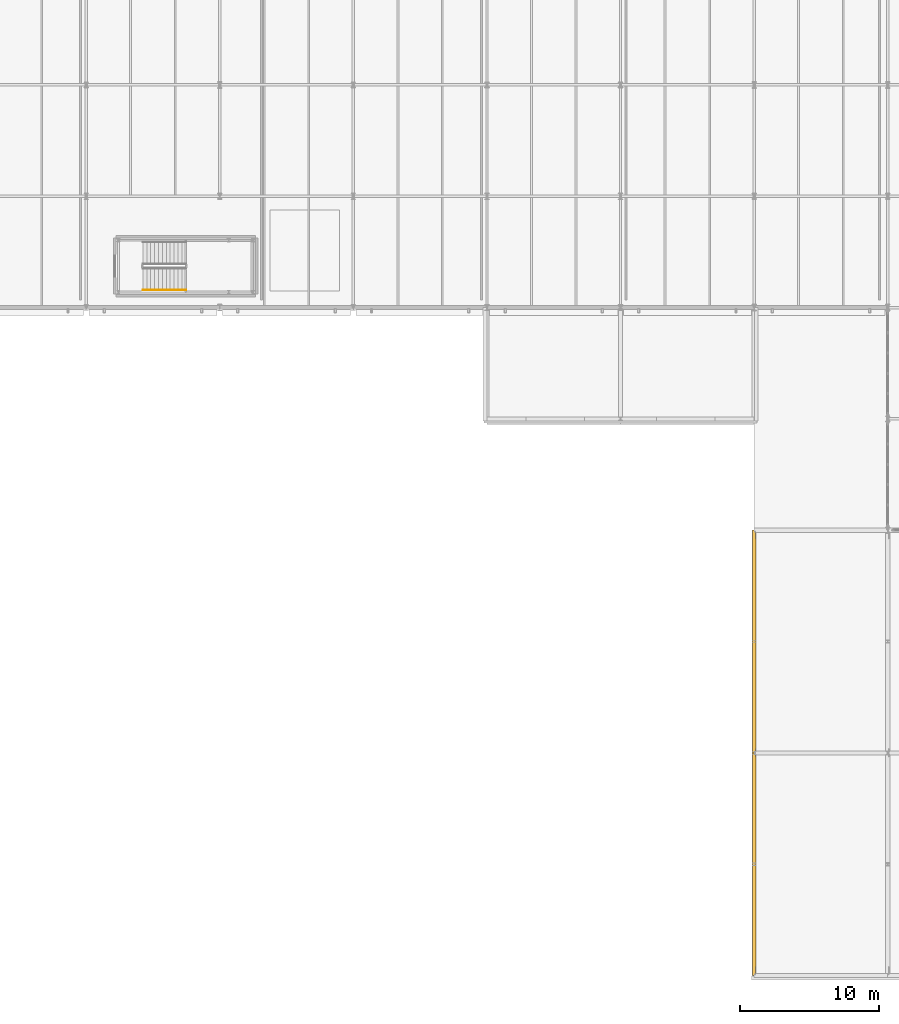
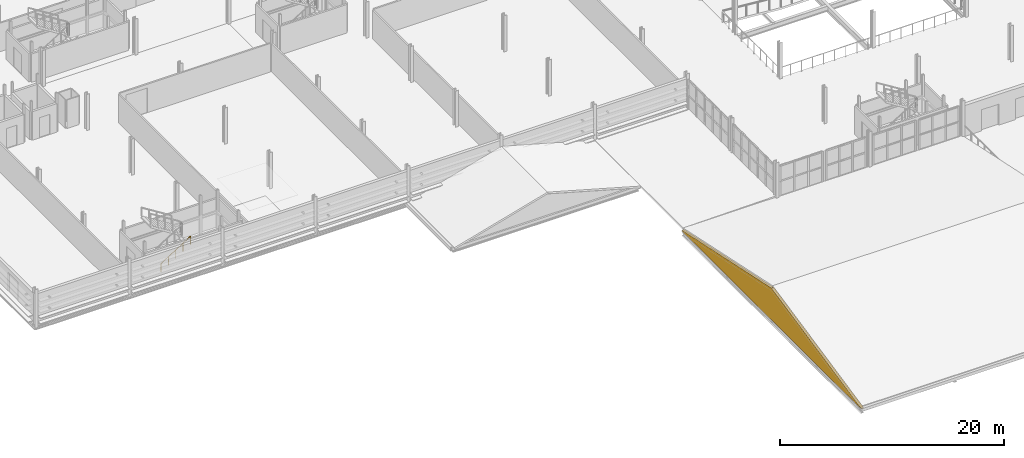
# One storey, part 78 of 85: 1 covering, 1 railing.
"""IFC4 building model written with IfcOpenShell, lengths in metres."""

from ifc_helpers import new_model, si_unit, direction, frame, origin, origin_2d, place, context, subcontext, project, spatial, polyline, circle, outline, extrude, material, layer, layer_set, type_object, element, save


model = new_model("IFC4")

# Units and contexts
model_context = context("Model", 3, precision=1e-05, world=origin(), true_north=direction((0.0, 1.0)))
body_context = subcontext(model_context, "Body", "Model", "MODEL_VIEW")
ifc_project = project(units=[si_unit("LENGTHUNIT", "METRE"), si_unit("AREAUNIT", "SQUARE_METRE"), si_unit("VOLUMEUNIT", "CUBIC_METRE"), si_unit("PLANEANGLEUNIT", "RADIAN"), si_unit("MASSUNIT", "GRAM", prefix="KILO")], contexts=[model_context])

# Site, building, storey
site_placement = place(None, origin())
site = spatial("IfcSite", under=ifc_project, at=site_placement, CompositionType="ELEMENT")
building_placement = place(site_placement, origin())
building = spatial("IfcBuilding", under=site, at=building_placement, Name="Alderhovde Museum", CompositionType="ELEMENT")
storey_placement = place(building_placement, frame((0.0, 0.0, 8.699951171875)))
storey = spatial("IfcBuildingStorey", under=building, at=storey_placement, Name="L02", CompositionType="ELEMENT", Elevation=8.699951171875)

# Covering
ifc_material_1 = material(Name="Carved Jura Limestone Gable Tympanum Cladding", Category="masonry")
ifc_layer = layer(ifc_material_1, 0.239990234375)
ifc_layer_set = layer_set([ifc_layer], Name="Carved Jura Limestone Gable Tympanum Cladding")
covering_type = type_object("IfcCoveringType", Name="COV-TYMP-STONE", PredefinedType="CLADDING", material=ifc_layer_set)
covering_placement = place(storey_placement, frame((67.199951171875, 0.0, -0.260009765625), z_axis=(0.0, 0.0, 1.0), x_axis=(0.0, 1.0, 0.0)))
element("IfcCovering", 1, at=covering_placement, inside=storey, type_object=covering_type, Name="Civic Auditorium Beaux-Arts Gable Tympanum 3", PredefinedType="CLADDING", context=body_context, shape_type="SweptSolid", body=[
    extrude(outline(polyline([(0.0, 0.0), (32.0, 0.0), (32.0, 0.10009765625), (16.0, 3.47998046875), (0.0, 0.10009765625), (0.0, 0.0)])), frame((0.0, 0.1201171875, 0.0), z_axis=(0.0, -1.0, 0.0), x_axis=(1.0, 0.0, 0.0)), (0.0, 0.0, 1.0), 0.239990234375),
])

# Railing
ifc_material_2 = material(Name="Brushed Stainless Steel Handrail", Category="steel")
railing_type = type_object("IfcRailingType", Name="RL-HANDRAIL-900", PredefinedType="HANDRAIL", material=ifc_material_2)
railing_placement = place(storey_placement, frame((23.280029296875, 49.25, 0.175048828125)))
element("IfcRailing", 2, at=railing_placement, inside=storey, type_object=railing_type, Name="L02 ST1 stair handrail 1", PredefinedType="HANDRAIL", context=body_context, shape_type="SweptSolid", body=[
    extrude(circle(Radius=0.02392578125, at=origin_2d()), frame((0.0, 0.0, 0.8759765625), z_axis=(0.847998304005, 0.0, 0.529998940003), x_axis=(0.0, 1.0, 0.0)), (0.0, 0.0, 1.0), 3.632080078125),
    extrude(circle(Radius=0.02099609375, at=origin_2d()), origin(), (0.0, 0.0, 1.0), 0.851806640625),
    extrude(circle(Radius=0.02099609375, at=origin_2d()), frame((0.77001953125, 0.0, 0.481201171875)), (0.0, 0.0, 1.0), 0.851806640625),
    extrude(circle(Radius=0.02099609375, at=origin_2d()), frame((1.5400390625, 0.0, 0.96240234375)), (0.0, 0.0, 1.0), 0.851806640625),
    extrude(circle(Radius=0.02099609375, at=origin_2d()), frame((2.31005859375, 0.0, 1.44384765625)), (0.0, 0.0, 1.0), 0.851806640625),
    extrude(circle(Radius=0.02099609375, at=origin_2d()), frame((3.080078125, 0.0, 1.925048828125)), (0.0, 0.0, 1.0), 0.851806640625),
])

save(model, "model.ifc")
